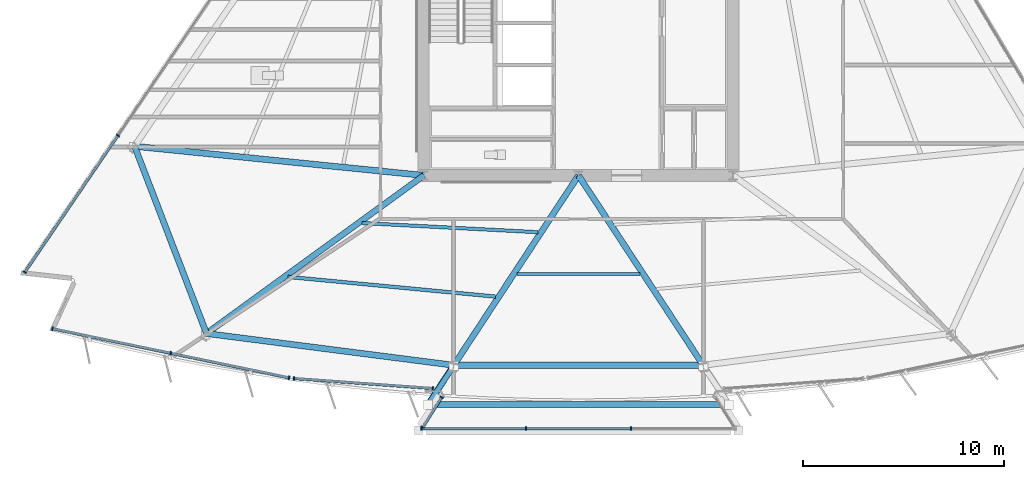
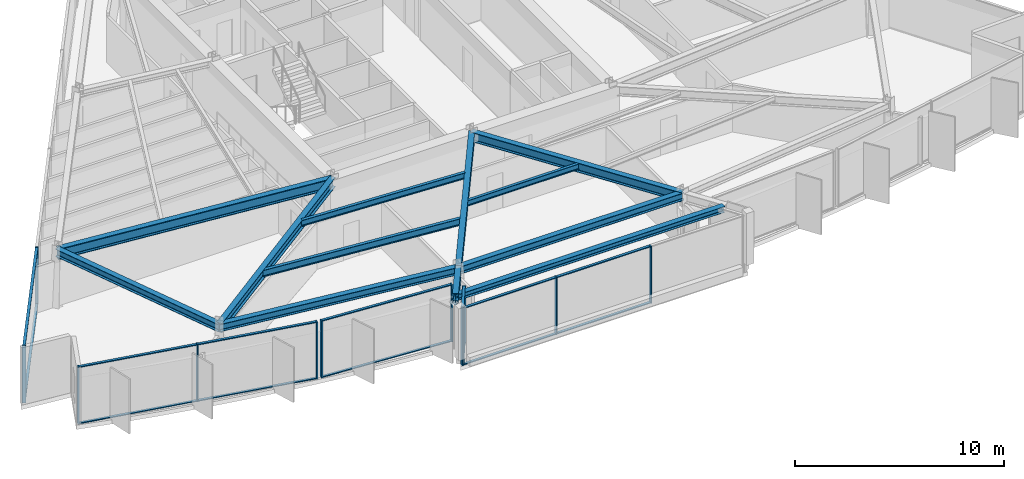
# One storey, part 2 of 15: 27 members, 12 beams, 5 elements without a shape of their own.
"""IFC4 building model written with IfcOpenShell, lengths in metres."""

from ifc_helpers import new_model, si_unit, direction, frame, origin, origin_2d, place, context, subcontext, project, spatial, rectangle, hollow_circle, i_section, extrude, material, material_profile, profile_set, type_object, element, aggregate, save


model = new_model("IFC4")

# Units and contexts
model_context = context("Model", 3, precision=1e-05, world=origin(), true_north=direction((0.0, 1.0)))
body_context = subcontext(model_context, "Body", "Model", "MODEL_VIEW")
ifc_project = project(units=[si_unit("LENGTHUNIT", "METRE"), si_unit("AREAUNIT", "SQUARE_METRE"), si_unit("VOLUMEUNIT", "CUBIC_METRE"), si_unit("PLANEANGLEUNIT", "RADIAN"), si_unit("MASSUNIT", "GRAM", prefix="KILO")], contexts=[model_context])

# Site, building, storey
site_placement = place(None, origin())
site = spatial("IfcSite", under=ifc_project, at=site_placement, CompositionType="ELEMENT")
building_placement = place(site_placement, origin())
building = spatial("IfcBuilding", under=site, at=building_placement, Name="Savorim Split Tower", CompositionType="ELEMENT")
storey_placement = place(building_placement, frame((0.0, 0.0, 114.89990234375)))
storey = spatial("IfcBuildingStorey", under=building, at=storey_placement, Name="L30", CompositionType="ELEMENT", Elevation=114.89990234375)

# Beams
ifc_material_1 = material(Name="Steel S355", Category="steel")
ifc_material_profile_1 = material_profile(ifc_material_1, i_section(OverallWidth=0.159912109375, OverallDepth=0.330078125, WebThickness=0.007568359375, FlangeThickness=0.011474609375, FilletRadius=0.01806640625, at=origin_2d()), Name="IPE 330")
ifc_profile_set_1 = profile_set([ifc_material_profile_1], Name="Steel S355")
beam_type_1 = type_object("IfcBeamType", Name="BM-JST-IPE330", PredefinedType="JOIST", material=ifc_profile_set_1)
beam_1_placement = place(storey_placement, frame((-3.06884765625, -14.316650390625, 3.18505859375), z_axis=(1.0, 0.0, 0.0), x_axis=(0.0, 1.0, 0.0)))
element("IfcBeam", 1, at=beam_1_placement, inside=storey, type_object=beam_type_1, Name="L30 Secondary Floor Joist JS-03", PredefinedType="JOIST", context=body_context, shape_type="SweptSolid", body=[
    extrude(i_section(OverallWidth=0.159912109375, OverallDepth=0.330078125, WebThickness=0.007568359375, FlangeThickness=0.011474609375, FilletRadius=0.01806640625, at=origin_2d()), origin(), (0.0, 0.0, 1.0), 6.1376953125),
])
ifc_material_profile_2 = material_profile(ifc_material_1, i_section(OverallWidth=0.169921875, OverallDepth=0.360107421875, WebThickness=0.008056640625, FlangeThickness=0.0126953125, FilletRadius=0.01806640625, at=origin_2d()), Name="IPE 360")
ifc_profile_set_2 = profile_set([ifc_material_profile_2], Name="Steel S355")
beam_type_2 = type_object("IfcBeamType", Name="BM-JST-IPE360", PredefinedType="JOIST", material=ifc_profile_set_2)
beam_2_placement = place(storey_placement, frame((-10.788330078125, -11.7705078125, 3.170166015625), z_axis=(0.998639183142, -0.052151528197, 0.0), x_axis=(0.052151528197, 0.998639183142, 0.0)))
element("IfcBeam", 2, at=beam_2_placement, inside=storey, type_object=beam_type_2, Name="L30 Secondary Floor Joist JS-02", PredefinedType="JOIST", context=body_context, shape_type="SweptSolid", body=[
    extrude(i_section(OverallWidth=0.169921875, OverallDepth=0.360107421875, WebThickness=0.008056640625, FlangeThickness=0.0126953125, FilletRadius=0.01806640625, at=origin_2d()), origin(), (0.0, 0.0, 1.0), 8.777587890625),
])
ifc_material_profile_3 = material_profile(ifc_material_1, i_section(OverallWidth=0.179931640625, OverallDepth=0.39990234375, WebThickness=0.008544921875, FlangeThickness=0.013427734375, FilletRadius=0.02099609375, at=origin_2d()), Name="IPE 400")
ifc_profile_set_3 = profile_set([ifc_material_profile_3], Name="Steel S355")
beam_type_3 = type_object("IfcBeamType", Name="BM-JST-IPE400", PredefinedType="JOIST", material=ifc_profile_set_3)
beam_3_placement = place(storey_placement, frame((-14.469970703125, -14.4541015625, 3.150146484375), z_axis=(0.995516055961, -0.094592718135, 0.0), x_axis=(0.094592718135, 0.995516055961, 0.0)))
element("IfcBeam", 3, at=beam_3_placement, inside=storey, type_object=beam_type_3, Name="L30 Secondary Floor Joist JS-01", PredefinedType="JOIST", context=body_context, shape_type="SweptSolid", body=[
    extrude(i_section(OverallWidth=0.179931640625, OverallDepth=0.39990234375, WebThickness=0.008544921875, FlangeThickness=0.013427734375, FilletRadius=0.02099609375, at=origin_2d()), origin(), (0.0, 0.0, 1.0), 10.38330078125),
])
ifc_material_profile_4 = material_profile(ifc_material_1, i_section(OverallWidth=0.300048828125, OverallDepth=0.550048828125, WebThickness=0.014892578125, FlangeThickness=0.029052734375, FilletRadius=0.027099609375, at=origin_2d()), Name="HEB 550")
ifc_profile_set_4 = profile_set([ifc_material_profile_4], Name="Steel S355")
beam_type_4 = type_object("IfcBeamType", Name="BM-PRI-HEB550", PredefinedType="BEAM", material=ifc_profile_set_4)
beam_4_placement = place(storey_placement, frame((-18.527099609375, -17.273681640625, 3.0751953125), z_axis=(0.808754221886, 0.58814675769, 0.0), x_axis=(-0.58814675769, 0.808754221886, 0.0)))
element("IfcBeam", 4, at=beam_4_placement, inside=storey, type_object=beam_type_4, Name="L30 Primary Floor Girder RG-01", PredefinedType="BEAM", context=body_context, shape_type="SweptSolid", body=[
    extrude(i_section(OverallWidth=0.300048828125, OverallDepth=0.550048828125, WebThickness=0.014892578125, FlangeThickness=0.029052734375, FilletRadius=0.027099609375, at=origin_2d()), origin(), (0.0, 0.0, 1.0), 13.387451171875),
])
for number, where, z_axis, x_axis, name in (
    (5, (-6.20947265625, -18.85498046875, 3.0751953125), (0.548939271193, 0.835862235384, 0.0), (-0.835862235384, 0.548939271193, 0.0), "L30 Primary Floor Girder RG-02"),
    (6, (6.20947265625, -18.85498046875, 3.0751953125), (-0.548939271193, 0.835862235384, 0.0), (-0.835862235384, -0.548939271193, 0.0), "L30 Primary Floor Girder RG-03"),
):
    element("IfcBeam", number, at=place(storey_placement, frame(where, z_axis=z_axis, x_axis=x_axis)), inside=storey, type_object=beam_type_4, Name=name, PredefinedType="BEAM", context=body_context, shape_type="SweptSolid", body=[
        extrude(i_section(OverallWidth=0.300048828125, OverallDepth=0.550048828125, WebThickness=0.014892578125, FlangeThickness=0.029052734375, FilletRadius=0.027099609375, at=origin_2d()), origin(), (0.0, 0.0, 1.0), 11.311767578125),
    ])
beam_5_placement = place(storey_placement, frame((-6.20947265625, -18.85498046875, 3.0751953125), z_axis=(-0.548933251455, -0.835866188721, 0.0), x_axis=(0.835866188721, -0.548933251455, 0.0)))
element("IfcBeam", 7, at=beam_5_placement, inside=storey, type_object=beam_type_4, Name="L30 Cantilevered Lounge Rib 1", PredefinedType="BEAM", context=body_context, shape_type="SweptSolid", body=[
    extrude(i_section(OverallWidth=0.300048828125, OverallDepth=0.550048828125, WebThickness=0.014892578125, FlangeThickness=0.029052734375, FilletRadius=0.027099609375, at=origin_2d()), origin(), (0.0, 0.0, 1.0), 2.35009765625),
])
ifc_material_2 = material(Name="Steel S460", Category="steel")
ifc_material_profile_5 = material_profile(ifc_material_2, i_section(OverallWidth=0.304931640625, OverallDepth=0.6201171875, WebThickness=0.02099609375, FlangeThickness=0.0400390625, FilletRadius=0.027099609375, at=origin_2d()), Name="HE 600 M")
ifc_profile_set_5 = profile_set([ifc_material_profile_5], Name="Steel S460")
beam_type_5 = type_object("IfcBeamType", Name="BM-PRI-HEM600", PredefinedType="BEAM", material=ifc_profile_set_5)
beam_6_placement = place(storey_placement, frame((-22.11181640625, -7.947509765625, 3.0400390625), z_axis=(0.994960297474, -0.100269668643, 0.0), x_axis=(0.100269668643, 0.994960297474, 0.0)))
element("IfcBeam", 8, at=beam_6_placement, inside=storey, type_object=beam_type_5, Name="L30 Primary Floor Girder RG-10", PredefinedType="BEAM", context=body_context, shape_type="SweptSolid", body=[
    extrude(i_section(OverallWidth=0.304931640625, OverallDepth=0.6201171875, WebThickness=0.02099609375, FlangeThickness=0.0400390625, FilletRadius=0.027099609375, at=origin_2d()), origin(), (0.0, 0.0, 1.0), 14.48486328125),
])
ifc_material_profile_6 = material_profile(ifc_material_1, i_section(OverallWidth=0.300048828125, OverallDepth=0.35009765625, WebThickness=0.010009765625, FlangeThickness=0.017578125, FilletRadius=0.027099609375, at=origin_2d()), Name="HEA 360")
ifc_profile_set_6 = profile_set([ifc_material_profile_6], Name="Steel S355")
beam_type_6 = type_object("IfcBeamType", Name="BM-SPN-HEA360", PredefinedType="SPANDREL", material=ifc_profile_set_6)
beam_7_placement = place(storey_placement, frame((-7.33935546875, -20.8193359375, 3.175048828125), z_axis=(1.0, 0.0, 0.0), x_axis=(0.0, 1.0, 0.0)))
element("IfcBeam", 9, at=beam_7_placement, inside=storey, type_object=beam_type_6, Name="L30 Cantilevered Lounge Front Edge Beam", PredefinedType="SPANDREL", context=body_context, shape_type="SweptSolid", body=[
    extrude(i_section(OverallWidth=0.300048828125, OverallDepth=0.35009765625, WebThickness=0.010009765625, FlangeThickness=0.017578125, FilletRadius=0.027099609375, at=origin_2d()), origin(), (0.0, 0.0, 1.0), 14.6787109375),
])
ifc_material_profile_7 = material_profile(ifc_material_1, i_section(OverallWidth=0.300048828125, OverallDepth=0.43994140625, WebThickness=0.011474609375, FlangeThickness=0.02099609375, FilletRadius=0.027099609375, at=origin_2d()), Name="HEA 450")
ifc_profile_set_7 = profile_set([ifc_material_profile_7], Name="Steel S355")
beam_type_7 = type_object("IfcBeamType", Name="BM-SPN-HEA450", PredefinedType="SPANDREL", material=ifc_profile_set_7)
beam_8_placement = place(storey_placement, frame((-18.527099609375, -17.273681640625, 3.130126953125), z_axis=(0.991860160312, -0.12733193781, 0.0), x_axis=(0.12733193781, 0.991860160312, 0.0)))
element("IfcBeam", 10, at=beam_8_placement, inside=storey, type_object=beam_type_7, Name="L30 Perimeter Spandrel Beam 1", PredefinedType="SPANDREL", context=body_context, shape_type="SweptSolid", body=[
    extrude(i_section(OverallWidth=0.300048828125, OverallDepth=0.43994140625, WebThickness=0.011474609375, FlangeThickness=0.02099609375, FilletRadius=0.027099609375, at=origin_2d()), origin(), (0.0, 0.0, 1.0), 12.418701171875),
])
beam_9_placement = place(storey_placement, frame((-6.20947265625, -18.85498046875, 3.130126953125), z_axis=(1.0, 0.0, 0.0), x_axis=(0.0, 1.0, 0.0)))
element("IfcBeam", 11, at=beam_9_placement, inside=storey, type_object=beam_type_7, Name="L30 Perimeter Spandrel Beam 2", PredefinedType="SPANDREL", context=body_context, shape_type="SweptSolid", body=[
    extrude(i_section(OverallWidth=0.300048828125, OverallDepth=0.43994140625, WebThickness=0.011474609375, FlangeThickness=0.02099609375, FilletRadius=0.027099609375, at=origin_2d()), origin(), (0.0, 0.0, 1.0), 12.4189453125),
])
beam_10_placement = place(storey_placement, frame((-22.11181640625, -7.947509765625, 3.130126953125), z_axis=(0.358780945179, -0.933421787498, 0.0), x_axis=(0.933421787498, 0.358780945179, 0.0)))
element("IfcBeam", 12, at=beam_10_placement, inside=storey, type_object=beam_type_7, Name="L30 Perimeter Spandrel Beam 10", PredefinedType="SPANDREL", context=body_context, shape_type="SweptSolid", body=[
    extrude(i_section(OverallWidth=0.300048828125, OverallDepth=0.43994140625, WebThickness=0.011474609375, FlangeThickness=0.02099609375, FilletRadius=0.027099609375, at=origin_2d()), origin(), (0.0, 0.0, 1.0), 9.991455078125),
])

# Curtain wall, members
ifc_material_3 = material(Name="Dark Ceramic-Fritted Insulated Glass", Category="glass")
curtain_wall_type_1 = type_object("IfcCurtainWallType", Name="CW-TWR-FRIT-A", PredefinedType="NOTDEFINED", material=ifc_material_3)
curtain_wall_1_placement = place(storey_placement, origin())
curtain_wall_1 = element("IfcCurtainWall", 13, at=curtain_wall_1_placement, inside=storey, type_object=curtain_wall_type_1, Name="L30 Curtain Wall CW-L30-SF1A", PredefinedType="NOTDEFINED")
ifc_material_4 = material(Name="Charcoal Anodised Aluminium", Category="aluminium")
ifc_material_profile_8 = material_profile(ifc_material_4, rectangle(XDim=0.179931640625, YDim=0.06494140625, at=origin_2d()), Name="ALU-M 180x65")
ifc_profile_set_8 = profile_set([ifc_material_profile_8], Name="Charcoal Anodised Aluminium")
member_type_1 = type_object("IfcMemberType", Name="CWM-180x65", PredefinedType="MULLION", material=ifc_profile_set_8)
member_1_placement = place(storey_placement, frame((-26.201171875, -17.0341796875, 0.0), z_axis=(0.0, 0.0, 1.0), x_axis=(0.203216307351, 0.979133868491, 0.0)))
member_1 = element("IfcMember", 14, at=member_1_placement, type_object=member_type_1, Name="CW-02 mullion 1", PredefinedType="MULLION", context=body_context, shape_type="SweptSolid", body=[
    extrude(rectangle(XDim=0.179931640625, YDim=0.06494140625, at=origin_2d()), origin(), (0.0, 0.0, 1.0), 3.35009765625),
])
member_2_placement = place(storey_placement, frame((-20.30859375, -18.257080078125, 0.0), z_axis=(0.0, 0.0, 1.0), x_axis=(0.203216307351, 0.979133868491, 0.0)))
member_2 = element("IfcMember", 15, at=member_2_placement, type_object=member_type_1, Name="CW-02 mullion 2", PredefinedType="MULLION", context=body_context, shape_type="SweptSolid", body=[
    extrude(rectangle(XDim=0.179931640625, YDim=0.06494140625, at=origin_2d()), origin(), (0.0, 0.0, 1.0), 3.35009765625),
])
member_3_placement = place(storey_placement, frame((-14.416259765625, -19.47998046875, 0.0), z_axis=(0.0, 0.0, 1.0), x_axis=(0.203216307351, 0.979133868491, 0.0)))
member_3 = element("IfcMember", 16, at=member_3_placement, type_object=member_type_1, Name="CW-02 mullion 3", PredefinedType="MULLION", context=body_context, shape_type="SweptSolid", body=[
    extrude(rectangle(XDim=0.179931640625, YDim=0.06494140625, at=origin_2d()), origin(), (0.0, 0.0, 1.0), 3.35009765625),
])

curtain_wall_2_placement = place(storey_placement, origin())
curtain_wall_2 = element("IfcCurtainWall", 17, at=curtain_wall_2_placement, inside=storey, type_object=curtain_wall_type_1, Name="L30 Curtain Wall CW-L30-SF2A", PredefinedType="NOTDEFINED")
member_4_placement = place(storey_placement, frame((-14.170166015625, -19.514404296875, 0.0), z_axis=(0.0, 0.0, 1.0), x_axis=(0.071548593758, 0.997437115176, 0.0)))
member_4 = element("IfcMember", 18, at=member_4_placement, type_object=member_type_1, Name="CW-02 mullion 1", PredefinedType="MULLION", context=body_context, shape_type="SweptSolid", body=[
    extrude(rectangle(XDim=0.179931640625, YDim=0.06494140625, at=origin_2d()), origin(), (0.0, 0.0, 1.0), 3.35009765625),
])
member_5_placement = place(storey_placement, frame((-7.253662109375, -20.010498046875, 0.0), z_axis=(0.0, 0.0, 1.0), x_axis=(0.071548593758, 0.997437115176, 0.0)))
member_5 = element("IfcMember", 19, at=member_5_placement, type_object=member_type_1, Name="CW-02 mullion 2", PredefinedType="MULLION", context=body_context, shape_type="SweptSolid", body=[
    extrude(rectangle(XDim=0.179931640625, YDim=0.06494140625, at=origin_2d()), origin(), (0.0, 0.0, 1.0), 3.35009765625),
])

curtain_wall_type_2 = type_object("IfcCurtainWallType", Name="CW-BAY-LOUNGE", PredefinedType="NOTDEFINED", material=ifc_material_3)
curtain_wall_3_placement = place(storey_placement, origin())
curtain_wall_3 = element("IfcCurtainWall", 20, at=curtain_wall_3_placement, inside=storey, type_object=curtain_wall_type_2, Name="L30 Curtain Wall CW-L30-BAYF", PredefinedType="NOTDEFINED")
member_6_placement = place(storey_placement, frame((-7.814453125, -21.99951171875, 0.0), z_axis=(0.0, 0.0, 1.0), x_axis=(0.0, 1.0, 0.0)))
member_6 = element("IfcMember", 21, at=member_6_placement, type_object=member_type_1, Name="CW-04 mullion 1", PredefinedType="MULLION", context=body_context, shape_type="SweptSolid", body=[
    extrude(rectangle(XDim=0.179931640625, YDim=0.06494140625, at=origin_2d()), origin(), (0.0, 0.0, 1.0), 3.35009765625),
])
member_7_placement = place(storey_placement, frame((-2.61572265625, -21.99951171875, 0.0), z_axis=(0.0, 0.0, 1.0), x_axis=(0.0, 1.0, 0.0)))
member_7 = element("IfcMember", 22, at=member_7_placement, type_object=member_type_1, Name="CW-04 mullion 2", PredefinedType="MULLION", context=body_context, shape_type="SweptSolid", body=[
    extrude(rectangle(XDim=0.179931640625, YDim=0.06494140625, at=origin_2d()), origin(), (0.0, 0.0, 1.0), 3.35009765625),
])
member_8_placement = place(storey_placement, frame((2.61572265625, -21.99951171875, 0.0), z_axis=(0.0, 0.0, 1.0), x_axis=(0.0, 1.0, 0.0)))
member_8 = element("IfcMember", 23, at=member_8_placement, type_object=member_type_1, Name="CW-04 mullion 3", PredefinedType="MULLION", context=body_context, shape_type="SweptSolid", body=[
    extrude(rectangle(XDim=0.179931640625, YDim=0.06494140625, at=origin_2d()), origin(), (0.0, 0.0, 1.0), 3.35009765625),
])

curtain_wall_4_placement = place(storey_placement, origin())
curtain_wall_4 = element("IfcCurtainWall", 24, at=curtain_wall_4_placement, inside=storey, type_object=curtain_wall_type_2, Name="L30 Curtain Wall CW-L30-BAYW", PredefinedType="NOTDEFINED")
member_9_placement = place(storey_placement, frame((-6.8154296875, -20.4521484375, 0.0), z_axis=(0.0, 0.0, 1.0), x_axis=(0.847130755522, -0.531384496432, 0.0)))
member_9 = element("IfcMember", 25, at=member_9_placement, type_object=member_type_1, Name="CW-04 mullion 1", PredefinedType="MULLION", context=body_context, shape_type="SweptSolid", body=[
    extrude(rectangle(XDim=0.179931640625, YDim=0.06494140625, at=origin_2d()), origin(), (0.0, 0.0, 1.0), 3.35009765625),
])
member_10_placement = place(storey_placement, frame((-7.756103515625, -21.951416015625, 0.0), z_axis=(0.0, 0.0, 1.0), x_axis=(0.847130755522, -0.531384496432, 0.0)))
member_10 = element("IfcMember", 26, at=member_10_placement, type_object=member_type_1, Name="CW-04 mullion 2", PredefinedType="MULLION", context=body_context, shape_type="SweptSolid", body=[
    extrude(rectangle(XDim=0.179931640625, YDim=0.06494140625, at=origin_2d()), origin(), (0.0, 0.0, 1.0), 3.35009765625),
])

curtain_wall_5_placement = place(storey_placement, origin())
curtain_wall_5 = element("IfcCurtainWall", 27, at=curtain_wall_5_placement, inside=storey, type_object=curtain_wall_type_1, Name="L30 Curtain Wall CW-L30-WEST", PredefinedType="NOTDEFINED")
member_11_placement = place(storey_placement, frame((-22.94140625, -7.4091796875, 0.0), z_axis=(0.0, 0.0, 1.0), x_axis=(0.826819959579, -0.562466669628, 0.0)))
member_11 = element("IfcMember", 28, at=member_11_placement, type_object=member_type_1, Name="CW-02 mullion 4", PredefinedType="MULLION", context=body_context, shape_type="SweptSolid", body=[
    extrude(rectangle(XDim=0.179931640625, YDim=0.06494140625, at=origin_2d()), origin(), (0.0, 0.0, 1.0), 3.35009765625),
])
member_12_placement = place(storey_placement, frame((-27.57568359375, -14.221435546875, 0.0), z_axis=(0.0, 0.0, 1.0), x_axis=(0.826819959579, -0.562466669628, 0.0)))
member_12 = element("IfcMember", 29, at=member_12_placement, type_object=member_type_1, Name="CW-02 mullion 5", PredefinedType="MULLION", context=body_context, shape_type="SweptSolid", body=[
    extrude(rectangle(XDim=0.179931640625, YDim=0.06494140625, at=origin_2d()), origin(), (0.0, 0.0, 1.0), 3.35009765625),
])

# Member
ifc_material_profile_9 = material_profile(ifc_material_4, rectangle(XDim=0.139892578125, YDim=0.054931640625, at=origin_2d()), Name="ALU-T 140x55")
ifc_profile_set_9 = profile_set([ifc_material_profile_9], Name="Charcoal Anodised Aluminium")
member_type_2 = type_object("IfcMemberType", Name="CWT-140x55", PredefinedType="USERDEFINED", material=ifc_profile_set_9)
member_13_placement = place(storey_placement, frame((-26.169189453125, -17.040771484375, 0.027587890625), z_axis=(0.979133683494, -0.203217198698, 0.0), x_axis=(0.203217198698, 0.979133683494, 0.0)))
member_13 = element("IfcMember", 30, at=member_13_placement, type_object=member_type_2, Name="CW-02 transom 1.1", ObjectType="TRANSOM", PredefinedType="USERDEFINED", context=body_context, shape_type="SweptSolid", body=[
    extrude(rectangle(XDim=0.139892578125, YDim=0.054931640625, at=origin_2d()), origin(), (0.0, 0.0, 1.0), 5.952880859375),
])

member_14_placement = place(storey_placement, frame((-26.169189453125, -17.040771484375, 3.322509765625), z_axis=(0.979133683494, -0.203217198698, 0.0), x_axis=(0.203217198698, 0.979133683494, 0.0)))
member_14 = element("IfcMember", 31, at=member_14_placement, type_object=member_type_2, Name="CW-02 transom 1.2", ObjectType="TRANSOM", PredefinedType="USERDEFINED", context=body_context, shape_type="SweptSolid", body=[
    extrude(rectangle(XDim=0.139892578125, YDim=0.054931640625, at=origin_2d()), origin(), (0.0, 0.0, 1.0), 5.952880859375),
])

member_15_placement = place(storey_placement, frame((-20.27685546875, -18.263671875, 0.027587890625), z_axis=(0.979133683494, -0.203217198698, 0.0), x_axis=(0.203217198698, 0.979133683494, 0.0)))
member_15 = element("IfcMember", 32, at=member_15_placement, type_object=member_type_2, Name="CW-02 transom 2.1", ObjectType="TRANSOM", PredefinedType="USERDEFINED", context=body_context, shape_type="SweptSolid", body=[
    extrude(rectangle(XDim=0.139892578125, YDim=0.054931640625, at=origin_2d()), origin(), (0.0, 0.0, 1.0), 5.952880859375),
])

member_16_placement = place(storey_placement, frame((-20.27685546875, -18.263671875, 3.322509765625), z_axis=(0.979133683494, -0.203217198698, 0.0), x_axis=(0.203217198698, 0.979133683494, 0.0)))
member_16 = element("IfcMember", 33, at=member_16_placement, type_object=member_type_2, Name="CW-02 transom 2.2", ObjectType="TRANSOM", PredefinedType="USERDEFINED", context=body_context, shape_type="SweptSolid", body=[
    extrude(rectangle(XDim=0.139892578125, YDim=0.054931640625, at=origin_2d()), origin(), (0.0, 0.0, 1.0), 5.952880859375),
])

aggregate(curtain_wall_1, [member_1, member_2, member_3, member_13, member_14, member_15, member_16])

member_17_placement = place(storey_placement, frame((-14.137939453125, -19.5166015625, 0.027587890625), z_axis=(0.997437548387, -0.071542554246, 0.0), x_axis=(0.071542554246, 0.997437548387, 0.0)))
member_17 = element("IfcMember", 34, at=member_17_placement, type_object=member_type_2, Name="CW-02 transom 1.1", ObjectType="TRANSOM", PredefinedType="USERDEFINED", context=body_context, shape_type="SweptSolid", body=[
    extrude(rectangle(XDim=0.139892578125, YDim=0.054931640625, at=origin_2d()), origin(), (0.0, 0.0, 1.0), 6.869384765625),
])

member_18_placement = place(storey_placement, frame((-14.137939453125, -19.5166015625, 3.322509765625), z_axis=(0.997437548387, -0.071542554246, 0.0), x_axis=(0.071542554246, 0.997437548387, 0.0)))
member_18 = element("IfcMember", 35, at=member_18_placement, type_object=member_type_2, Name="CW-02 transom 1.2", ObjectType="TRANSOM", PredefinedType="USERDEFINED", context=body_context, shape_type="SweptSolid", body=[
    extrude(rectangle(XDim=0.139892578125, YDim=0.054931640625, at=origin_2d()), origin(), (0.0, 0.0, 1.0), 6.869384765625),
])

aggregate(curtain_wall_2, [member_4, member_5, member_17, member_18])

member_19_placement = place(storey_placement, frame((-7.781982421875, -21.99951171875, 0.027587890625), z_axis=(1.0, 0.0, 0.0), x_axis=(0.0, 1.0, 0.0)))
member_19 = element("IfcMember", 36, at=member_19_placement, type_object=member_type_2, Name="CW-04 transom 1.1", ObjectType="TRANSOM", PredefinedType="USERDEFINED", context=body_context, shape_type="SweptSolid", body=[
    extrude(rectangle(XDim=0.139892578125, YDim=0.054931640625, at=origin_2d()), origin(), (0.0, 0.0, 1.0), 5.1337890625),
])

member_20_placement = place(storey_placement, frame((-7.781982421875, -21.99951171875, 3.322509765625), z_axis=(1.0, 0.0, 0.0), x_axis=(0.0, 1.0, 0.0)))
member_20 = element("IfcMember", 37, at=member_20_placement, type_object=member_type_2, Name="CW-04 transom 1.2", ObjectType="TRANSOM", PredefinedType="USERDEFINED", context=body_context, shape_type="SweptSolid", body=[
    extrude(rectangle(XDim=0.139892578125, YDim=0.054931640625, at=origin_2d()), origin(), (0.0, 0.0, 1.0), 5.1337890625),
])

member_21_placement = place(storey_placement, frame((-2.583251953125, -21.99951171875, 0.027587890625), z_axis=(1.0, 0.0, 0.0), x_axis=(0.0, 1.0, 0.0)))
member_21 = element("IfcMember", 38, at=member_21_placement, type_object=member_type_2, Name="CW-04 transom 2.1", ObjectType="TRANSOM", PredefinedType="USERDEFINED", context=body_context, shape_type="SweptSolid", body=[
    extrude(rectangle(XDim=0.139892578125, YDim=0.054931640625, at=origin_2d()), origin(), (0.0, 0.0, 1.0), 5.16650390625),
])

member_22_placement = place(storey_placement, frame((-2.583251953125, -21.99951171875, 3.322509765625), z_axis=(1.0, 0.0, 0.0), x_axis=(0.0, 1.0, 0.0)))
member_22 = element("IfcMember", 39, at=member_22_placement, type_object=member_type_2, Name="CW-04 transom 2.2", ObjectType="TRANSOM", PredefinedType="USERDEFINED", context=body_context, shape_type="SweptSolid", body=[
    extrude(rectangle(XDim=0.139892578125, YDim=0.054931640625, at=origin_2d()), origin(), (0.0, 0.0, 1.0), 5.16650390625),
])

aggregate(curtain_wall_3, [member_6, member_7, member_8, member_19, member_20, member_21, member_22])

member_23_placement = place(storey_placement, frame((-6.832763671875, -20.4794921875, 0.027587890625), z_axis=(-0.531388323882, -0.847128354644, 0.0), x_axis=(0.847128354644, -0.531388323882, 0.0)))
member_23 = element("IfcMember", 40, at=member_23_placement, type_object=member_type_2, Name="CW-04 transom 1.1", ObjectType="TRANSOM", PredefinedType="USERDEFINED", context=body_context, shape_type="SweptSolid", body=[
    extrude(rectangle(XDim=0.139892578125, YDim=0.054931640625, at=origin_2d()), origin(), (0.0, 0.0, 1.0), 1.705078125),
])

member_24_placement = place(storey_placement, frame((-6.832763671875, -20.4794921875, 3.322509765625), z_axis=(-0.531388323882, -0.847128354644, 0.0), x_axis=(0.847128354644, -0.531388323882, 0.0)))
member_24 = element("IfcMember", 41, at=member_24_placement, type_object=member_type_2, Name="CW-04 transom 1.2", ObjectType="TRANSOM", PredefinedType="USERDEFINED", context=body_context, shape_type="SweptSolid", body=[
    extrude(rectangle(XDim=0.139892578125, YDim=0.054931640625, at=origin_2d()), origin(), (0.0, 0.0, 1.0), 1.705078125),
])

aggregate(curtain_wall_4, [member_9, member_10, member_23, member_24])

member_25_placement = place(storey_placement, frame((-22.959716796875, -7.43603515625, 0.027587890625), z_axis=(-0.562478304433, -0.826812044568, 0.0), x_axis=(0.826812044568, -0.562478304433, 0.0)))
member_25 = element("IfcMember", 42, at=member_25_placement, type_object=member_type_2, Name="CW-02 transom 4.1", ObjectType="TRANSOM", PredefinedType="USERDEFINED", context=body_context, shape_type="SweptSolid", body=[
    extrude(rectangle(XDim=0.139892578125, YDim=0.054931640625, at=origin_2d()), origin(), (0.0, 0.0, 1.0), 8.173828125),
])

member_26_placement = place(storey_placement, frame((-22.959716796875, -7.43603515625, 3.322509765625), z_axis=(-0.562478304433, -0.826812044568, 0.0), x_axis=(0.826812044568, -0.562478304433, 0.0)))
member_26 = element("IfcMember", 43, at=member_26_placement, type_object=member_type_2, Name="CW-02 transom 4.2", ObjectType="TRANSOM", PredefinedType="USERDEFINED", context=body_context, shape_type="SweptSolid", body=[
    extrude(rectangle(XDim=0.139892578125, YDim=0.054931640625, at=origin_2d()), origin(), (0.0, 0.0, 1.0), 8.173828125),
])

aggregate(curtain_wall_5, [member_11, member_12, member_25, member_26])

ifc_material_profile_10 = material_profile(ifc_material_1, hollow_circle(Radius=0.136474609375, WallThickness=0.01611328125, at=origin_2d()), Name="CHS 273x16")
ifc_profile_set_10 = profile_set([ifc_material_profile_10], Name="Steel S355")
member_type_3 = type_object("IfcMemberType", Name="MBR-CRN-CHS273", PredefinedType="BRACE", material=ifc_profile_set_10)
member_27_placement = place(storey_placement, frame((-6.21728515625, -18.8955078125, 2.4501953125), z_axis=(-0.547638833258, -0.821666794759, 0.157972740363), x_axis=(0.83211527225, -0.554602716987, 0.0)))
element("IfcMember", 44, at=member_27_placement, inside=storey, type_object=member_type_3, Name="L30 Cantilevered Bay Support Strut 1", PredefinedType="BRACE", context=body_context, shape_type="SweptSolid", body=[
    extrude(hollow_circle(Radius=0.136474609375, WallThickness=0.01611328125, at=origin_2d()), origin(), (0.0, 0.0, 1.0), 2.34130859375),
])

save(model, "model.ifc")
